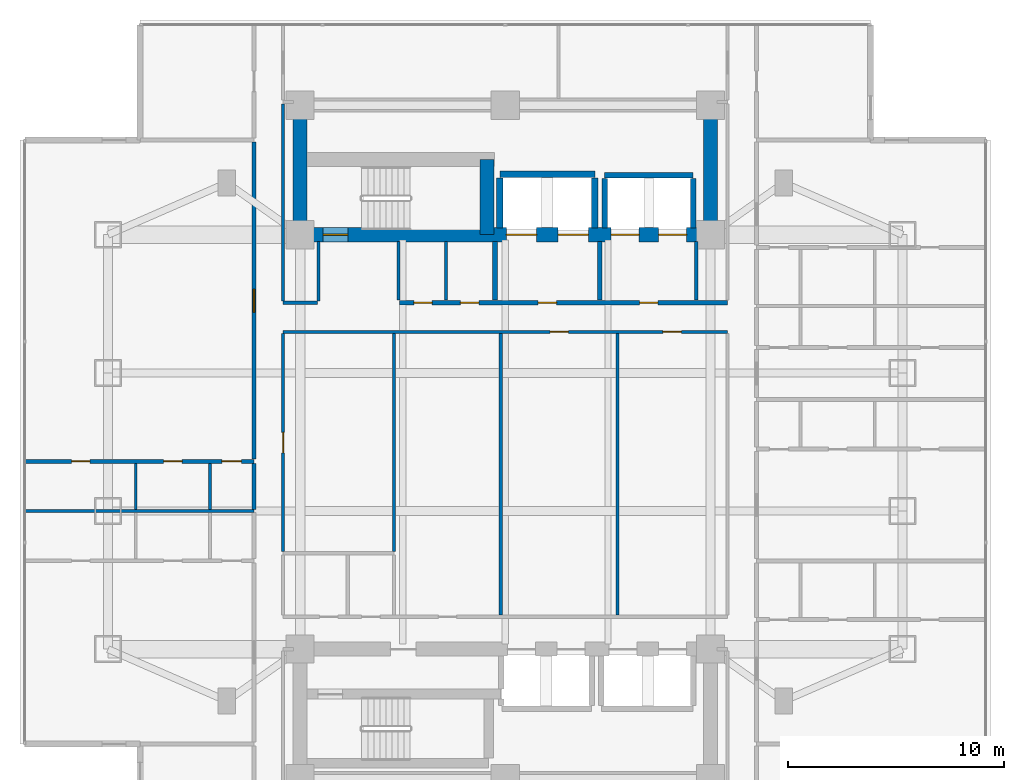
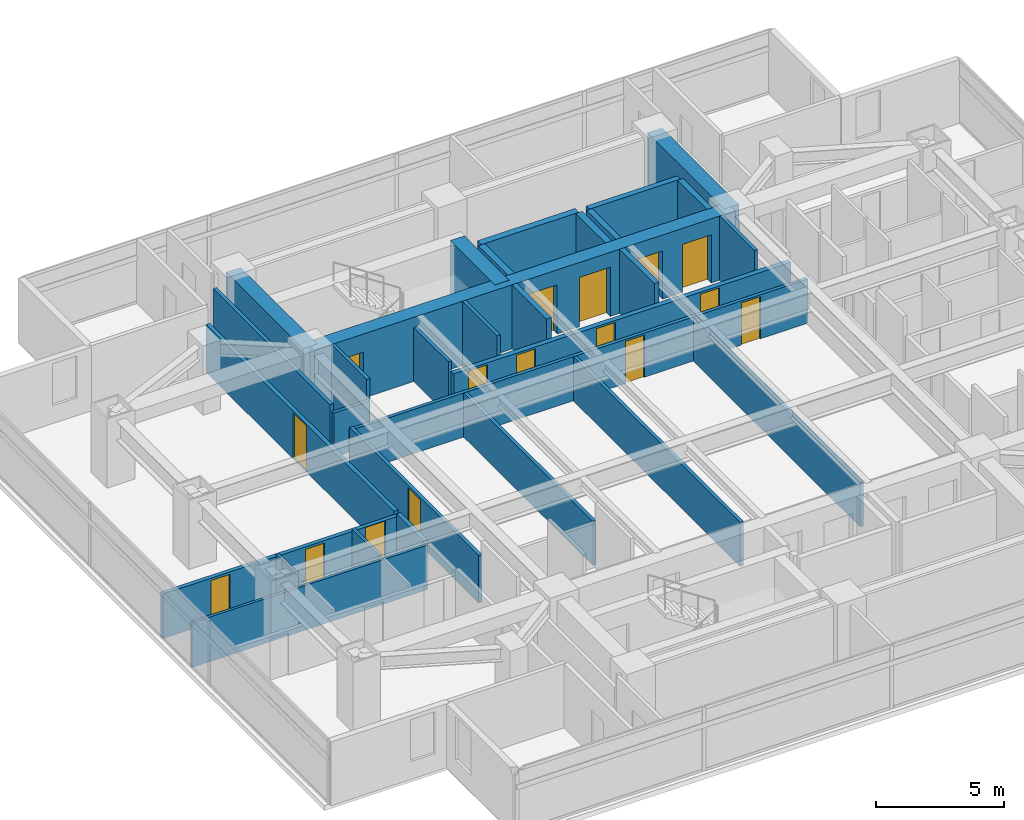
# One storey, part 14 of 24: 30 walls, 16 doors, 16 openings.
"""IFC4 building model written with IfcOpenShell, lengths in metres."""

from ifc_helpers import new_model, si_unit, direction, frame, frame_2d, origin, place, context, subcontext, project, spatial, rectangle, extrude, material, layer, layer_set, type_object, element, fill, save


model = new_model("IFC4")

# Units and contexts
model_context = context("Model", 3, precision=1e-05, world=origin(), true_north=direction((0.0, 1.0)))
body_context = subcontext(model_context, "Body", "Model", "MODEL_VIEW")
ifc_project = project(units=[si_unit("LENGTHUNIT", "METRE"), si_unit("AREAUNIT", "SQUARE_METRE"), si_unit("VOLUMEUNIT", "CUBIC_METRE"), si_unit("PLANEANGLEUNIT", "RADIAN"), si_unit("MASSUNIT", "GRAM", prefix="KILO")], contexts=[model_context])

# Site, building, storey
site_placement = place(None, origin())
site = spatial("IfcSite", under=ifc_project, at=site_placement, CompositionType="ELEMENT")
building_placement = place(site_placement, origin())
building = spatial("IfcBuilding", under=site, at=building_placement, Name="Mirazonda Arch Towers", CompositionType="ELEMENT")
storey_placement = place(building_placement, frame((0.0, 0.0, 71.89990234375)))
storey = spatial("IfcBuildingStorey", under=building, at=storey_placement, Name="L20", CompositionType="ELEMENT", Elevation=71.89990234375)

# Walls
ifc_material_1 = material(Name="Concrete C60/75", Category="concrete")
ifc_layer_1 = layer(ifc_material_1, 0.64990234375, Name="WALL-CORE-650")
ifc_layer_set_1 = layer_set([ifc_layer_1], Name="Concrete C60/75")
wall_type_1 = type_object("IfcWallType", Name="WALL-CORE-650", PredefinedType="SHEAR", material=ifc_layer_set_1)
for number, where, z_axis, x_axis, name in (
    (1, (11.0, 37.60009765625, 0.0), (0.0, 0.0, 1.0), (0.0, 1.0, 0.0), "L20 T1N-W Core Shear Wall"),
    (2, (30.0, 37.60009765625, 0.0), (0.0, 0.0, 1.0), (0.0, 1.0, 0.0), "L20 T1N-E Core Shear Wall"),
):
    element("IfcWall", number, at=place(storey_placement, frame(where, z_axis=z_axis, x_axis=x_axis)), inside=storey, type_object=wall_type_1, Name=name, PredefinedType="SHEAR", context=body_context, shape_type="SweptSolid", body=[
        extrude(rectangle(XDim=6.0, YDim=0.64990234375, at=frame_2d((3.0, 0.0))), origin(), (0.0, 0.0, 1.0), 3.06005859375),
    ])

# Wall, openings, doors
wall_1_placement = place(storey_placement, frame((11.0, 37.60009765625, 0.0), z_axis=(0.0, 0.0, 1.0), x_axis=(1.0, 0.0, 0.0)))
wall_1 = element("IfcWall", 3, at=wall_1_placement, inside=storey, type_object=wall_type_1, Name="L20 T1N-S Core Shear Wall", PredefinedType="SHEAR", context=body_context, shape_type="SweptSolid", body=[
    extrude(rectangle(XDim=19.0, YDim=0.64990234375, at=frame_2d((9.5, 0.0))), origin(), (0.0, 0.0, 1.0), 3.06005859375),
])
opening_1_placement = place(wall_1_placement, frame((1.06005859375, 0.0, 0.0)))
opening_1 = element("IfcOpeningElement", 4, at=opening_1_placement, cuts=wall_1, Name="Opening DR-135", PredefinedType="OPENING", context=body_context, shape_type="SweptSolid", body=[
    extrude(rectangle(XDim=1.14990234375, YDim=2.199951171875, at=frame_2d((0.574951171875, 1.10009765625))), frame((0.0, 0.3349609375, 0.0), z_axis=(0.0, -1.0, 0.0), x_axis=(1.0, 0.0, 0.0)), (0.0, 0.0, 1.0), 0.669921875),
])
opening_2_placement = place(wall_1_placement, frame((9.550048828125, 0.0, 0.0)))
opening_2 = element("IfcOpeningElement", 5, at=opening_2_placement, cuts=wall_1, Name="Opening LD-112", PredefinedType="OPENING", context=body_context, shape_type="SweptSolid", body=[
    extrude(rectangle(XDim=1.39990234375, YDim=2.35009765625, at=frame_2d((0.699951171875, 1.175048828125))), frame((0.0, 0.3349609375, 0.0), z_axis=(0.0, -1.0, 0.0), x_axis=(1.0, 0.0, 0.0)), (0.0, 0.0, 1.0), 0.669921875),
])
opening_3_placement = place(wall_1_placement, frame((11.949951171875, 0.0, 0.0)))
opening_3 = element("IfcOpeningElement", 6, at=opening_3_placement, cuts=wall_1, Name="Opening LD-112", PredefinedType="OPENING", context=body_context, shape_type="SweptSolid", body=[
    extrude(rectangle(XDim=1.39990234375, YDim=2.35009765625, at=frame_2d((0.699951171875, 1.175048828125))), frame((0.0, 0.3349609375, 0.0), z_axis=(0.0, -1.0, 0.0), x_axis=(1.0, 0.0, 0.0)), (0.0, 0.0, 1.0), 0.669921875),
])
opening_4_placement = place(wall_1_placement, frame((14.39990234375, 0.0, 0.0)))
opening_4 = element("IfcOpeningElement", 7, at=opening_4_placement, cuts=wall_1, Name="Opening LD-111", PredefinedType="OPENING", context=body_context, shape_type="SweptSolid", body=[
    extrude(rectangle(XDim=1.300048828125, YDim=2.300048828125, at=frame_2d((0.64990234375, 1.14990234375))), frame((0.0, 0.3349609375, 0.0), z_axis=(0.0, -1.0, 0.0), x_axis=(1.0, 0.0, 0.0)), (0.0, 0.0, 1.0), 0.669921875),
])
opening_5_placement = place(wall_1_placement, frame((16.60009765625, 0.0, 0.0)))
opening_5 = element("IfcOpeningElement", 8, at=opening_5_placement, cuts=wall_1, Name="Opening LD-111", PredefinedType="OPENING", context=body_context, shape_type="SweptSolid", body=[
    extrude(rectangle(XDim=1.300048828125, YDim=2.300048828125, at=frame_2d((0.64990234375, 1.14990234375))), frame((0.0, 0.3349609375, 0.0), z_axis=(0.0, -1.0, 0.0), x_axis=(1.0, 0.0, 0.0)), (0.0, 0.0, 1.0), 0.669921875),
])
ifc_material_2 = material(Name="Architectural Brushed Steel S355", Category="steel")
door_type_1 = type_object("IfcDoorType", Name="DOOR-LIFT-FFL-1400", OperationType="NOTDEFINED", PredefinedType="DOOR", material=ifc_material_2)
door_1_placement = place(opening_2_placement, origin())
door_1 = element("IfcDoor", 9, at=door_1_placement, inside=storey, type_object=door_type_1, Name="L20 Lift Landing Sliding Door FFL-T1", OperationType="DOUBLE_DOOR_SLIDING", OverallHeight=2.35009765625, OverallWidth=1.39990234375, PredefinedType="DOOR", context=body_context, shape_type="SweptSolid", body=[
    extrude(rectangle(XDim=1.39990234375, YDim=2.35009765625, at=frame_2d((0.699951171875, 1.175048828125))), frame((0.0, 0.02490234375, 0.0), z_axis=(0.0, -1.0, 0.0), x_axis=(1.0, 0.0, 0.0)), (0.0, 0.0, 1.0), 0.050048828125),
])
fill(opening_2, door_1)
door_2_placement = place(opening_3_placement, origin())
door_2 = element("IfcDoor", 10, at=door_2_placement, inside=storey, type_object=door_type_1, Name="L20 Lift Landing Sliding Door SVL-T1", OperationType="DOUBLE_DOOR_SLIDING", OverallHeight=2.35009765625, OverallWidth=1.39990234375, PredefinedType="DOOR", context=body_context, shape_type="SweptSolid", body=[
    extrude(rectangle(XDim=1.39990234375, YDim=2.35009765625, at=frame_2d((0.699951171875, 1.175048828125))), frame((0.0, 0.02490234375, 0.0), z_axis=(0.0, -1.0, 0.0), x_axis=(1.0, 0.0, 0.0)), (0.0, 0.0, 1.0), 0.050048828125),
])
fill(opening_3, door_2)
door_type_2 = type_object("IfcDoorType", Name="DOOR-LIFT-LAND-1300", OperationType="NOTDEFINED", PredefinedType="DOOR", material=ifc_material_2)
door_3_placement = place(opening_4_placement, origin())
door_3 = element("IfcDoor", 11, at=door_3_placement, inside=storey, type_object=door_type_2, Name="L20 Lift Landing Sliding Door PL-T1L1", OperationType="DOUBLE_DOOR_SLIDING", OverallHeight=2.300048828125, OverallWidth=1.300048828125, PredefinedType="DOOR", context=body_context, shape_type="SweptSolid", body=[
    extrude(rectangle(XDim=1.300048828125, YDim=2.300048828125, at=frame_2d((0.64990234375, 1.14990234375))), frame((0.0, 0.02490234375, 0.0), z_axis=(0.0, -1.0, 0.0), x_axis=(1.0, 0.0, 0.0)), (0.0, 0.0, 1.0), 0.050048828125),
])
fill(opening_4, door_3)
door_4_placement = place(opening_5_placement, origin())
door_4 = element("IfcDoor", 12, at=door_4_placement, inside=storey, type_object=door_type_2, Name="L20 Lift Landing Sliding Door PL-T1L2", OperationType="DOUBLE_DOOR_SLIDING", OverallHeight=2.300048828125, OverallWidth=1.300048828125, PredefinedType="DOOR", context=body_context, shape_type="SweptSolid", body=[
    extrude(rectangle(XDim=1.300048828125, YDim=2.300048828125, at=frame_2d((0.64990234375, 1.14990234375))), frame((0.0, 0.02490234375, 0.0), z_axis=(0.0, -1.0, 0.0), x_axis=(1.0, 0.0, 0.0)), (0.0, 0.0, 1.0), 0.050048828125),
])
fill(opening_5, door_4)
door_type_3 = type_object("IfcDoorType", Name="DOOR-STAIR-FD90-1150", OperationType="NOTDEFINED", PredefinedType="DOOR", material=ifc_material_2)
door_5_placement = place(opening_1_placement, origin())
door_5 = element("IfcDoor", 13, at=door_5_placement, inside=storey, type_object=door_type_3, Name="L20 Protected Exit Stair North Door", OperationType="SINGLE_SWING_LEFT", OverallHeight=2.199951171875, OverallWidth=1.14990234375, PredefinedType="DOOR", context=body_context, shape_type="SweptSolid", body=[
    extrude(rectangle(XDim=1.14990234375, YDim=2.199951171875, at=frame_2d((0.574951171875, 1.10009765625))), frame((0.0, 0.02490234375, 0.0), z_axis=(0.0, -1.0, 0.0), x_axis=(1.0, 0.0, 0.0)), (0.0, 0.0, 1.0), 0.050048828125),
])
fill(opening_1, door_5)

# Wall
wall_2_placement = place(storey_placement, frame((19.64990234375, 37.60009765625, 0.0), z_axis=(0.0, 0.0, 1.0), x_axis=(0.0, 1.0, 0.0)))
element("IfcWall", 14, at=wall_2_placement, inside=storey, type_object=wall_type_1, Name="L20 T1N-STE Core Shear Wall", PredefinedType="SHEAR", context=body_context, shape_type="SweptSolid", body=[
    extrude(rectangle(XDim=3.492919921875, YDim=0.64990234375, at=frame_2d((1.74658203125, 0.0))), origin(), (0.0, 0.0, 1.0), 3.06005859375),
])

# Wall, openings, doors
ifc_material_3 = material(Name="Concrete C40/50", Category="concrete")
ifc_layer_2 = layer(ifc_material_3, 0.219970703125, Name="WALL-FFL-220")
ifc_layer_set_2 = layer_set([ifc_layer_2], Name="Concrete C40/50")
wall_type_2 = type_object("IfcWallType", Name="WALL-FFL-220", PredefinedType="SOLIDWALL", material=ifc_layer_set_2)
wall_3_placement = place(storey_placement, frame((15.590087890625, 34.449951171875, 0.0), z_axis=(0.0, 0.0, 1.0), x_axis=(1.0, 0.0, 0.0)))
wall_3 = element("IfcWall", 15, at=wall_3_placement, inside=storey, type_object=wall_type_2, Name="L20 Interior Partition 041", PredefinedType="SOLIDWALL", context=body_context, shape_type="SweptSolid", body=[
    extrude(rectangle(XDim=15.2099609375, YDim=0.219970703125, at=frame_2d((7.60498046875, 0.0))), origin(), (0.0, 0.0, 1.0), 2.10400390625),
])
opening_6_placement = place(wall_3_placement, frame((6.43505859375, 0.0, 0.0)))
opening_6 = element("IfcOpeningElement", 16, at=opening_6_placement, cuts=wall_3, Name="Opening DR-128", PredefinedType="OPENING", context=body_context, shape_type="SweptSolid", body=[
    extrude(rectangle(XDim=0.85009765625, YDim=2.010009765625, at=frame_2d((0.425048828125, 1.0048828125))), frame((0.0, 0.119873046875, 0.0), z_axis=(0.0, -1.0, 0.0), x_axis=(1.0, 0.0, 0.0)), (0.0, 0.0, 1.0), 0.239990234375),
])
opening_7_placement = place(wall_3_placement, frame((11.135009765625, 0.0, 0.0)))
opening_7 = element("IfcOpeningElement", 17, at=opening_7_placement, cuts=wall_3, Name="Opening DR-128", PredefinedType="OPENING", context=body_context, shape_type="SweptSolid", body=[
    extrude(rectangle(XDim=0.85009765625, YDim=2.010009765625, at=frame_2d((0.425048828125, 1.0048828125))), frame((0.0, 0.119873046875, 0.0), z_axis=(0.0, -1.0, 0.0), x_axis=(1.0, 0.0, 0.0)), (0.0, 0.0, 1.0), 0.239990234375),
])
opening_8_placement = place(wall_3_placement, frame((0.675048828125, 0.0, 0.0)))
opening_8 = element("IfcOpeningElement", 18, at=opening_8_placement, cuts=wall_3, Name="Opening DR-128", PredefinedType="OPENING", context=body_context, shape_type="SweptSolid", body=[
    extrude(rectangle(XDim=0.85009765625, YDim=2.010009765625, at=frame_2d((0.425048828125, 1.0048828125))), frame((0.0, 0.119873046875, 0.0), z_axis=(0.0, -1.0, 0.0), x_axis=(1.0, 0.0, 0.0)), (0.0, 0.0, 1.0), 0.239990234375),
])
opening_9_placement = place(wall_3_placement, frame((2.8349609375, 0.0, 0.0)))
opening_9 = element("IfcOpeningElement", 19, at=opening_9_placement, cuts=wall_3, Name="Opening DR-128", PredefinedType="OPENING", context=body_context, shape_type="SweptSolid", body=[
    extrude(rectangle(XDim=0.85009765625, YDim=2.010009765625, at=frame_2d((0.425048828125, 1.0048828125))), frame((0.0, 0.119873046875, 0.0), z_axis=(0.0, -1.0, 0.0), x_axis=(1.0, 0.0, 0.0)), (0.0, 0.0, 1.0), 0.239990234375),
])
door_type_4 = type_object("IfcDoorType", Name="DOOR-RISER-FD60-850", OperationType="NOTDEFINED", PredefinedType="DOOR", material=ifc_material_2)
door_6_placement = place(opening_6_placement, origin())
door_6 = element("IfcDoor", 20, at=door_6_placement, inside=storey, type_object=door_type_4, Name="L20 Firefighting Lift Lobby Door", OperationType="SINGLE_SWING_RIGHT", OverallHeight=2.010009765625, OverallWidth=0.85009765625, PredefinedType="DOOR", context=body_context, shape_type="SweptSolid", body=[
    extrude(rectangle(XDim=0.85009765625, YDim=2.010009765625, at=frame_2d((0.425048828125, 1.0048828125))), frame((0.0, 0.02490234375, 0.0), z_axis=(0.0, -1.0, 0.0), x_axis=(1.0, 0.0, 0.0)), (0.0, 0.0, 1.0), 0.050048828125),
])
fill(opening_6, door_6)
door_7_placement = place(opening_7_placement, origin())
door_7 = element("IfcDoor", 21, at=door_7_placement, inside=storey, type_object=door_type_4, Name="L20 Passenger Lift Lobby North Door", OperationType="SINGLE_SWING_LEFT", OverallHeight=2.010009765625, OverallWidth=0.85009765625, PredefinedType="DOOR", context=body_context, shape_type="SweptSolid", body=[
    extrude(rectangle(XDim=0.85009765625, YDim=2.010009765625, at=frame_2d((0.425048828125, 1.0048828125))), frame((0.0, 0.02490234375, 0.0), z_axis=(0.0, -1.0, 0.0), x_axis=(1.0, 0.0, 0.0)), (0.0, 0.0, 1.0), 0.050048828125),
])
fill(opening_7, door_7)
door_8_placement = place(opening_8_placement, origin())
door_8 = element("IfcDoor", 22, at=door_8_placement, inside=storey, type_object=door_type_4, Name="L20 Electrical Room Door", OperationType="SINGLE_SWING_RIGHT", OverallHeight=2.010009765625, OverallWidth=0.85009765625, PredefinedType="DOOR", context=body_context, shape_type="SweptSolid", body=[
    extrude(rectangle(XDim=0.85009765625, YDim=2.010009765625, at=frame_2d((0.425048828125, 1.0048828125))), frame((0.0, 0.02490234375, 0.0), z_axis=(0.0, -1.0, 0.0), x_axis=(1.0, 0.0, 0.0)), (0.0, 0.0, 1.0), 0.050048828125),
])
fill(opening_8, door_8)
door_9_placement = place(opening_9_placement, origin())
door_9 = element("IfcDoor", 23, at=door_9_placement, inside=storey, type_object=door_type_4, Name="L20 Cleaners & Housekeeping Store Door", OperationType="SINGLE_SWING_LEFT", OverallHeight=2.010009765625, OverallWidth=0.85009765625, PredefinedType="DOOR", context=body_context, shape_type="SweptSolid", body=[
    extrude(rectangle(XDim=0.85009765625, YDim=2.010009765625, at=frame_2d((0.425048828125, 1.0048828125))), frame((0.0, 0.02490234375, 0.0), z_axis=(0.0, -1.0, 0.0), x_axis=(1.0, 0.0, 0.0)), (0.0, 0.0, 1.0), 0.050048828125),
])
fill(opening_9, door_9)

# Walls
for number, where, z_axis, x_axis, name in (
    (24, (20.02490234375, 34.570068359375, 0.0), (0.0, 0.0, 1.0), (0.0, 1.0, 0.0), "L20 Interior Partition 081"),
    (25, (24.875, 34.570068359375, 0.0), (0.0, 0.0, 1.0), (0.0, 1.0, 0.0), "L20 Interior Partition 091"),
):
    element("IfcWall", number, at=place(storey_placement, frame(where, z_axis=z_axis, x_axis=x_axis)), inside=storey, type_object=wall_type_2, Name=name, PredefinedType="SOLIDWALL", context=body_context, shape_type="SweptSolid", body=[
        extrude(rectangle(XDim=2.7099609375, YDim=0.219970703125, at=frame_2d((1.35498046875, 0.0))), origin(), (0.0, 0.0, 1.0), 3.06005859375),
    ])

# Wall, openings, doors
ifc_material_4 = material(Name="Fire-Rated Gypsum Stud Partition")
ifc_layer_3 = layer(ifc_material_4, 0.14990234375, Name="WALL-PART-CORR-150")
ifc_layer_set_3 = layer_set([ifc_layer_3], Name="Fire-Rated Gypsum Stud Partition")
wall_type_3 = type_object("IfcWallType", Name="WALL-PART-CORR-150", PredefinedType="PARTITIONING", material=ifc_layer_set_3)
wall_4_placement = place(storey_placement, frame((10.199951171875, 33.10009765625, 0.0), z_axis=(0.0, 0.0, 1.0), x_axis=(1.0, 0.0, 0.0)))
wall_4 = element("IfcWall", 26, at=wall_4_placement, inside=storey, type_object=wall_type_3, Name="L20 Interior Partition 038", PredefinedType="PARTITIONING", context=body_context, shape_type="SweptSolid", body=[
    extrude(rectangle(XDim=20.60009765625, YDim=0.14990234375, at=frame_2d((10.300048828125, 0.0))), origin(), (0.0, 0.0, 1.0), 2.10400390625),
])
opening_10_placement = place(wall_4_placement, frame((12.373046875, 0.0, 0.0)))
opening_10 = element("IfcOpeningElement", 27, at=opening_10_placement, cuts=wall_4, Name="Opening DR-128", PredefinedType="OPENING", context=body_context, shape_type="SweptSolid", body=[
    extrude(rectangle(XDim=0.85009765625, YDim=2.010009765625, at=frame_2d((0.425048828125, 1.0048828125))), frame((0.0, 0.0849609375, 0.0), z_axis=(0.0, -1.0, 0.0), x_axis=(1.0, 0.0, 0.0)), (0.0, 0.0, 1.0), 0.169921875),
])
opening_11_placement = place(wall_4_placement, frame((17.60595703125, 0.0, 0.0)))
opening_11 = element("IfcOpeningElement", 28, at=opening_11_placement, cuts=wall_4, Name="Opening DR-128", PredefinedType="OPENING", context=body_context, shape_type="SweptSolid", body=[
    extrude(rectangle(XDim=0.85009765625, YDim=2.010009765625, at=frame_2d((0.425048828125, 1.0048828125))), frame((0.0, 0.0849609375, 0.0), z_axis=(0.0, -1.0, 0.0), x_axis=(1.0, 0.0, 0.0)), (0.0, 0.0, 1.0), 0.169921875),
])
door_10_placement = place(opening_10_placement, origin())
door_10 = element("IfcDoor", 29, at=door_10_placement, inside=storey, type_object=door_type_4, Name="L20 Private Dining Room Door", OperationType="SINGLE_SWING_RIGHT", OverallHeight=2.010009765625, OverallWidth=0.85009765625, PredefinedType="DOOR", context=body_context, shape_type="SweptSolid", body=[
    extrude(rectangle(XDim=0.85009765625, YDim=2.010009765625, at=frame_2d((0.425048828125, 1.0048828125))), frame((0.0, 0.02490234375, 0.0), z_axis=(0.0, -1.0, 0.0), x_axis=(1.0, 0.0, 0.0)), (0.0, 0.0, 1.0), 0.050048828125),
])
fill(opening_10, door_10)
door_11_placement = place(opening_11_placement, origin())
door_11 = element("IfcDoor", 30, at=door_11_placement, inside=storey, type_object=door_type_4, Name="L20 Collectors Gallery Study Door", OperationType="SINGLE_SWING_LEFT", OverallHeight=2.010009765625, OverallWidth=0.85009765625, PredefinedType="DOOR", context=body_context, shape_type="SweptSolid", body=[
    extrude(rectangle(XDim=0.85009765625, YDim=2.010009765625, at=frame_2d((0.425048828125, 1.0048828125))), frame((0.0, 0.02490234375, 0.0), z_axis=(0.0, -1.0, 0.0), x_axis=(1.0, 0.0, 0.0)), (0.0, 0.0, 1.0), 0.050048828125),
])
fill(opening_11, door_11)

# Wall
wall_5_placement = place(storey_placement, frame((10.199951171875, 34.449951171875, 0.0), z_axis=(0.0, 0.0, 1.0), x_axis=(1.0, 0.0, 0.0)))
element("IfcWall", 31, at=wall_5_placement, inside=storey, type_object=wall_type_3, Name="L20 Interior Partition 040", PredefinedType="PARTITIONING", context=body_context, shape_type="SweptSolid", body=[
    extrude(rectangle(XDim=1.60009765625, YDim=0.14990234375, at=frame_2d((0.800048828125, 0.0))), origin(), (0.0, 0.0, 1.0), 2.10400390625),
])

# Wall, opening, door
wall_6_placement = place(storey_placement, frame((10.206787109375, 22.93505859375, 0.0), z_axis=(0.0, 0.0, 1.0), x_axis=(0.0, 1.0, 0.0)))
wall_6 = element("IfcWall", 32, at=wall_6_placement, inside=storey, type_object=wall_type_3, Name="L20 Interior Partition 071", PredefinedType="PARTITIONING", context=body_context, shape_type="SweptSolid", body=[
    extrude(rectangle(XDim=10.079833984375, YDim=0.14990234375, at=frame_2d((5.0400390625, 0.0))), origin(), (0.0, 0.0, 1.0), 2.279052734375),
])
opening_12_placement = place(wall_6_placement, frame((4.56494140625, 0.0, 0.0)))
opening_12 = element("IfcOpeningElement", 33, at=opening_12_placement, cuts=wall_6, Name="Opening DR-104", PredefinedType="OPENING", context=body_context, shape_type="SweptSolid", body=[
    extrude(rectangle(XDim=0.949951171875, YDim=2.14990234375, at=frame_2d((0.47509765625, 1.074951171875))), frame((0.0, 0.0849609375, 0.0), z_axis=(0.0, -1.0, 0.0), x_axis=(1.0, 0.0, 0.0)), (0.0, 0.0, 1.0), 0.169921875),
])
door_type_5 = type_object("IfcDoorType", Name="DOOR-ROOM-950", OperationType="NOTDEFINED", PredefinedType="DOOR", material=ifc_material_2)
door_12_placement = place(opening_12_placement, origin())
door_12 = element("IfcDoor", 34, at=door_12_placement, inside=storey, type_object=door_type_5, Name="L20 L20 West Courtyard Salon Door", OperationType="SINGLE_SWING_RIGHT", OverallHeight=2.14990234375, OverallWidth=0.949951171875, PredefinedType="DOOR", context=body_context, shape_type="SweptSolid", body=[
    extrude(rectangle(XDim=0.949951171875, YDim=2.14990234375, at=frame_2d((0.47509765625, 1.074951171875))), frame((0.0, 0.02490234375, 0.0), z_axis=(0.0, -1.0, 0.0), x_axis=(1.0, 0.0, 0.0)), (0.0, 0.0, 1.0), 0.050048828125),
])
fill(opening_12, door_12)

# Walls
wall_7_placement = place(storey_placement, frame((10.199951171875, 34.534912109375, 0.0), z_axis=(0.0, 0.0, 1.0), x_axis=(0.0, 1.0, 0.0)))
element("IfcWall", 35, at=wall_7_placement, inside=storey, type_object=wall_type_3, Name="L20 Interior Partition 072", PredefinedType="PARTITIONING", context=body_context, shape_type="SweptSolid", body=[
    extrude(rectangle(XDim=9.130126953125, YDim=0.14990234375, at=frame_2d((4.56494140625, 0.0))), origin(), (0.0, 0.0, 1.0), 2.43603515625),
])
wall_8_placement = place(storey_placement, frame((11.85009765625, 34.534912109375, 0.0), z_axis=(0.0, 0.0, 1.0), x_axis=(0.0, 1.0, 0.0)))
element("IfcWall", 36, at=wall_8_placement, inside=storey, type_object=wall_type_3, Name="L20 Interior Partition 074", PredefinedType="PARTITIONING", context=body_context, shape_type="SweptSolid", body=[
    extrude(rectangle(XDim=2.7451171875, YDim=0.14990234375, at=frame_2d((1.37255859375, 0.0))), origin(), (0.0, 0.0, 1.0), 3.06005859375),
])
wall_9_placement = place(storey_placement, frame((15.35009765625, 22.93505859375, 0.0), z_axis=(0.0, 0.0, 1.0), x_axis=(0.0, 1.0, 0.0)))
element("IfcWall", 37, at=wall_9_placement, inside=storey, type_object=wall_type_3, Name="L20 Interior Partition 077", PredefinedType="PARTITIONING", context=body_context, shape_type="SweptSolid", body=[
    extrude(rectangle(XDim=10.079833984375, YDim=0.14990234375, at=frame_2d((5.0400390625, 0.0))), origin(), (0.0, 0.0, 1.0), 2.10400390625),
])
wall_10_placement = place(storey_placement, frame((15.550048828125, 34.570068359375, 0.0), z_axis=(0.0, 0.0, 1.0), x_axis=(0.0, 1.0, 0.0)))
element("IfcWall", 38, at=wall_10_placement, inside=storey, type_object=wall_type_3, Name="L20 Interior Partition 078", PredefinedType="PARTITIONING", context=body_context, shape_type="SweptSolid", body=[
    extrude(rectangle(XDim=2.7099609375, YDim=0.14990234375, at=frame_2d((1.35498046875, 0.0))), origin(), (0.0, 0.0, 1.0), 2.589111328125),
])
wall_11_placement = place(storey_placement, frame((17.75, 34.570068359375, 0.0), z_axis=(0.0, 0.0, 1.0), x_axis=(0.0, 1.0, 0.0)))
element("IfcWall", 39, at=wall_11_placement, inside=storey, type_object=wall_type_3, Name="L20 Interior Partition 079", PredefinedType="PARTITIONING", context=body_context, shape_type="SweptSolid", body=[
    extrude(rectangle(XDim=2.7099609375, YDim=0.14990234375, at=frame_2d((1.35498046875, 0.0))), origin(), (0.0, 0.0, 1.0), 3.06005859375),
])
for number, where, z_axis, x_axis, name in (
    (40, (20.2939453125, 19.985107421875, 0.0), (0.0, 0.0, 1.0), (0.0, 1.0, 0.0), "L20 Interior Partition 084"),
    (41, (25.701904296875, 19.985107421875, 0.0), (0.0, 0.0, 1.0), (0.0, 1.0, 0.0), "L20 Interior Partition 093"),
):
    element("IfcWall", number, at=place(storey_placement, frame(where, z_axis=z_axis, x_axis=x_axis)), inside=storey, type_object=wall_type_3, Name=name, PredefinedType="PARTITIONING", context=body_context, shape_type="SweptSolid", body=[
        extrude(rectangle(XDim=13.02978515625, YDim=0.14990234375, at=frame_2d((6.514892578125, 0.0))), origin(), (0.0, 0.0, 1.0), 2.10400390625),
    ])
wall_12_placement = place(storey_placement, frame((29.35009765625, 34.570068359375, 0.0), z_axis=(0.0, 0.0, 1.0), x_axis=(0.0, 1.0, 0.0)))
element("IfcWall", 42, at=wall_12_placement, inside=storey, type_object=wall_type_3, Name="L20 Interior Partition 095", PredefinedType="PARTITIONING", context=body_context, shape_type="SweptSolid", body=[
    extrude(rectangle(XDim=2.7099609375, YDim=0.14990234375, at=frame_2d((1.35498046875, 0.0))), origin(), (0.0, 0.0, 1.0), 3.06005859375),
])

# Wall, openings, doors
ifc_material_5 = material(Name="Fire-Rated Gypsum Twin-Stud Assembly")
ifc_layer_4 = layer(ifc_material_5, 0.179931640625, Name="WALL-PART-DEMISE-180")
ifc_layer_set_4 = layer_set([ifc_layer_4], Name="Fire-Rated Gypsum Twin-Stud Assembly")
wall_type_4 = type_object("IfcWallType", Name="WALL-PART-DEMISE-180", PredefinedType="PARTITIONING", material=ifc_layer_set_4)
wall_13_placement = place(storey_placement, frame((-1.760009765625, 27.10009765625, 0.0), z_axis=(0.0, 0.0, 1.0), x_axis=(1.0, 0.0, 0.0)))
wall_13 = element("IfcWall", 43, at=wall_13_placement, inside=storey, type_object=wall_type_4, Name="L20 Interior Partition 030", PredefinedType="PARTITIONING", context=body_context, shape_type="SweptSolid", body=[
    extrude(rectangle(XDim=10.6201171875, YDim=0.179931640625, at=frame_2d((5.31005859375, 0.0))), origin(), (0.0, 0.0, 1.0), 2.125),
])
opening_13_placement = place(wall_13_placement, frame((2.1689453125, 0.0, 0.0)))
opening_13 = element("IfcOpeningElement", 44, at=opening_13_placement, cuts=wall_13, Name="Opening DR-128", PredefinedType="OPENING", context=body_context, shape_type="SweptSolid", body=[
    extrude(rectangle(XDim=0.85009765625, YDim=2.010009765625, at=frame_2d((0.425048828125, 1.0048828125))), frame((0.0, 0.099853515625, 0.0), z_axis=(0.0, -1.0, 0.0), x_axis=(1.0, 0.0, 0.0)), (0.0, 0.0, 1.0), 0.199951171875),
])
opening_14_placement = place(wall_13_placement, frame((6.43896484375, 0.0, 0.0)))
opening_14 = element("IfcOpeningElement", 45, at=opening_14_placement, cuts=wall_13, Name="Opening DR-128", PredefinedType="OPENING", context=body_context, shape_type="SweptSolid", body=[
    extrude(rectangle(XDim=0.85009765625, YDim=2.010009765625, at=frame_2d((0.425048828125, 1.0048828125))), frame((0.0, 0.099853515625, 0.0), z_axis=(0.0, -1.0, 0.0), x_axis=(1.0, 0.0, 0.0)), (0.0, 0.0, 1.0), 0.199951171875),
])
opening_15_placement = place(wall_13_placement, frame((9.1298828125, 0.0, 0.0)))
opening_15 = element("IfcOpeningElement", 46, at=opening_15_placement, cuts=wall_13, Name="Opening DR-120", PredefinedType="OPENING", context=body_context, shape_type="SweptSolid", body=[
    extrude(rectangle(XDim=0.89990234375, YDim=2.10009765625, at=frame_2d((0.449951171875, 1.050048828125))), frame((0.0, 0.099853515625, 0.0), z_axis=(0.0, -1.0, 0.0), x_axis=(1.0, 0.0, 0.0)), (0.0, 0.0, 1.0), 0.199951171875),
])
door_13_placement = place(opening_13_placement, origin())
door_13 = element("IfcDoor", 47, at=door_13_placement, inside=storey, type_object=door_type_4, Name="L20 Residence 2 Principal Bedroom Door", OperationType="SINGLE_SWING_RIGHT", OverallHeight=2.010009765625, OverallWidth=0.85009765625, PredefinedType="DOOR", context=body_context, shape_type="SweptSolid", body=[
    extrude(rectangle(XDim=0.85009765625, YDim=2.010009765625, at=frame_2d((0.425048828125, 1.0048828125))), frame((0.0, 0.02490234375, 0.0), z_axis=(0.0, -1.0, 0.0), x_axis=(1.0, 0.0, 0.0)), (0.0, 0.0, 1.0), 0.050048828125),
])
fill(opening_13, door_13)
door_14_placement = place(opening_14_placement, origin())
door_14 = element("IfcDoor", 48, at=door_14_placement, inside=storey, type_object=door_type_4, Name="L20 Residence 2 Fitted Kitchen Door", OperationType="SINGLE_SWING_LEFT", OverallHeight=2.010009765625, OverallWidth=0.85009765625, PredefinedType="DOOR", context=body_context, shape_type="SweptSolid", body=[
    extrude(rectangle(XDim=0.85009765625, YDim=2.010009765625, at=frame_2d((0.425048828125, 1.0048828125))), frame((0.0, 0.02490234375, 0.0), z_axis=(0.0, -1.0, 0.0), x_axis=(1.0, 0.0, 0.0)), (0.0, 0.0, 1.0), 0.050048828125),
])
fill(opening_14, door_14)
door_type_6 = type_object("IfcDoorType", Name="DOOR-WC-900", OperationType="NOTDEFINED", PredefinedType="DOOR", material=ifc_material_2)
door_15_placement = place(opening_15_placement, origin())
door_15 = element("IfcDoor", 49, at=door_15_placement, inside=storey, type_object=door_type_6, Name="L20 Residence 2 Bathroom Door", OperationType="SINGLE_SWING_RIGHT", OverallHeight=2.10009765625, OverallWidth=0.89990234375, PredefinedType="DOOR", context=body_context, shape_type="SweptSolid", body=[
    extrude(rectangle(XDim=0.89990234375, YDim=2.10009765625, at=frame_2d((0.449951171875, 1.050048828125))), frame((0.0, 0.02490234375, 0.0), z_axis=(0.0, -1.0, 0.0), x_axis=(1.0, 0.0, 0.0)), (0.0, 0.0, 1.0), 0.050048828125),
])
fill(opening_15, door_15)

# Wall
wall_14_placement = place(storey_placement, frame((8.860107421875, 24.87255859375, 0.0), z_axis=(0.0, 0.0, 1.0), x_axis=(0.0, 1.0, 0.0)))
element("IfcWall", 50, at=wall_14_placement, inside=storey, type_object=wall_type_4, Name="L20 Interior Partition 065", PredefinedType="PARTITIONING", context=body_context, shape_type="SweptSolid", body=[
    extrude(rectangle(XDim=2.12744140625, YDim=0.179931640625, at=frame_2d((1.063720703125, 0.0))), origin(), (0.0, 0.0, 1.0), 2.279052734375),
])

# Wall, opening, door
wall_15_placement = place(storey_placement, frame((8.860107421875, 27.199951171875, 0.0), z_axis=(0.0, 0.0, 1.0), x_axis=(0.0, 1.0, 0.0)))
wall_15 = element("IfcWall", 51, at=wall_15_placement, inside=storey, type_object=wall_type_4, Name="L20 Interior Partition 066", PredefinedType="PARTITIONING", context=body_context, shape_type="SweptSolid", body=[
    extrude(rectangle(XDim=14.68798828125, YDim=0.179931640625, at=frame_2d((7.343994140625, 0.0))), origin(), (0.0, 0.0, 1.0), 2.279052734375),
])
opening_16_placement = place(wall_15_placement, frame((6.819091796875, 0.0, 0.0)))
opening_16 = element("IfcOpeningElement", 52, at=opening_16_placement, cuts=wall_15, Name="Opening DR-121", PredefinedType="OPENING", context=body_context, shape_type="SweptSolid", body=[
    extrude(rectangle(XDim=1.050048828125, YDim=2.199951171875, at=frame_2d((0.52490234375, 1.10009765625))), frame((0.0, 0.099853515625, 0.0), z_axis=(0.0, -1.0, 0.0), x_axis=(1.0, 0.0, 0.0)), (0.0, 0.0, 1.0), 0.199951171875),
])
door_type_7 = type_object("IfcDoorType", Name="DOOR-SUITE-FD60-1050", OperationType="NOTDEFINED", PredefinedType="DOOR", material=ifc_material_2)
door_16_placement = place(opening_16_placement, origin())
door_16 = element("IfcDoor", 53, at=door_16_placement, inside=storey, type_object=door_type_7, Name="L20 Penthouse Residence 2 Living & Dining Salon Door", OperationType="SINGLE_SWING_LEFT", OverallHeight=2.199951171875, OverallWidth=1.050048828125, PredefinedType="DOOR", context=body_context, shape_type="SweptSolid", body=[
    extrude(rectangle(XDim=1.050048828125, YDim=2.199951171875, at=frame_2d((0.52490234375, 1.10009765625))), frame((0.0, 0.02490234375, 0.0), z_axis=(0.0, -1.0, 0.0), x_axis=(1.0, 0.0, 0.0)), (0.0, 0.0, 1.0), 0.050048828125),
])
fill(opening_16, door_16)

# Walls
ifc_material_6 = material(Name="Acoustic Fire-Rated Gypsum Partition")
ifc_layer_5 = layer(ifc_material_6, 0.125, Name="WALL-PART-UNIT-125")
ifc_layer_set_5 = layer_set([ifc_layer_5], Name="Acoustic Fire-Rated Gypsum Partition")
wall_type_5 = type_object("IfcWallType", Name="WALL-PART-UNIT-125", PredefinedType="PARTITIONING", material=ifc_layer_set_5)
wall_16_placement = place(storey_placement, frame((-1.760009765625, 24.800048828125, 0.0), z_axis=(0.0, 0.0, 1.0), x_axis=(1.0, 0.0, 0.0)))
element("IfcWall", 54, at=wall_16_placement, inside=storey, type_object=wall_type_5, Name="L20 Interior Partition 026", PredefinedType="PARTITIONING", context=body_context, shape_type="SweptSolid", body=[
    extrude(rectangle(XDim=10.6201171875, YDim=0.125, at=frame_2d((5.31005859375, 0.0))), origin(), (0.0, 0.0, 1.0), 2.125),
])
for number, where, z_axis, x_axis, name in (
    (55, (3.387939453125, 24.87255859375, 0.0), (0.0, 0.0, 1.0), (0.0, 1.0, 0.0), "L20 Interior Partition 059"),
    (56, (6.820068359375, 24.87255859375, 0.0), (0.0, 0.0, 1.0), (0.0, 1.0, 0.0), "L20 Interior Partition 061"),
):
    element("IfcWall", number, at=place(storey_placement, frame(where, z_axis=z_axis, x_axis=x_axis)), inside=storey, type_object=wall_type_5, Name=name, PredefinedType="PARTITIONING", context=body_context, shape_type="SweptSolid", body=[
        extrude(rectangle(XDim=2.12744140625, YDim=0.125, at=frame_2d((1.063720703125, 0.0))), origin(), (0.0, 0.0, 1.0), 2.279052734375),
    ])
ifc_layer_6 = layer(ifc_material_3, 0.25, Name="WALL-SHAFT-250")
ifc_layer_set_6 = layer_set([ifc_layer_6], Name="Concrete C40/50")
wall_type_6 = type_object("IfcWallType", Name="WALL-SHAFT-250", PredefinedType="SOLIDWALL", material=ifc_layer_set_6)
wall_17_placement = place(storey_placement, frame((25.10009765625, 40.35009765625, 0.0), z_axis=(0.0, 0.0, 1.0), x_axis=(1.0, 0.0, 0.0)))
element("IfcWall", 57, at=wall_17_placement, inside=storey, type_object=wall_type_6, Name="L20 Interior Partition 052", PredefinedType="SOLIDWALL", context=body_context, shape_type="SweptSolid", body=[
    extrude(rectangle(XDim=4.099853515625, YDim=0.25, at=frame_2d((2.0498046875, 0.0))), origin(), (0.0, 0.0, 1.0), 3.06005859375),
])
for number, where, z_axis, x_axis, name in (
    (58, (25.10009765625, 37.919921875, 0.0), (0.0, 0.0, 1.0), (0.0, 1.0, 0.0), "L20 Interior Partition 092"),
    (59, (29.199951171875, 37.919921875, 0.0), (0.0, 0.0, 1.0), (0.0, 1.0, 0.0), "L20 Interior Partition 096"),
):
    element("IfcWall", number, at=place(storey_placement, frame(where, z_axis=z_axis, x_axis=x_axis)), inside=storey, type_object=wall_type_6, Name=name, PredefinedType="SOLIDWALL", context=body_context, shape_type="SweptSolid", body=[
        extrude(rectangle(XDim=2.295166015625, YDim=0.25, at=frame_2d((1.1474609375, 0.0))), origin(), (0.0, 0.0, 1.0), 3.06005859375),
    ])
ifc_material_7 = material(Name="Concrete C50/60", Category="concrete")
ifc_layer_7 = layer(ifc_material_7, 0.300048828125, Name="WALL-SHAFT-300")
ifc_layer_set_7 = layer_set([ifc_layer_7], Name="Concrete C50/60")
wall_type_7 = type_object("IfcWallType", Name="WALL-SHAFT-300", PredefinedType="SOLIDWALL", material=ifc_layer_set_7)
wall_18_placement = place(storey_placement, frame((20.25, 40.39990234375, 0.0), z_axis=(0.0, 0.0, 1.0), x_axis=(1.0, 0.0, 0.0)))
element("IfcWall", 60, at=wall_18_placement, inside=storey, type_object=wall_type_7, Name="L20 Interior Partition 053", PredefinedType="SOLIDWALL", context=body_context, shape_type="SweptSolid", body=[
    extrude(rectangle(XDim=4.39990234375, YDim=0.300048828125, at=frame_2d((2.199951171875, 0.0))), origin(), (0.0, 0.0, 1.0), 3.06005859375),
])
for number, where, z_axis, x_axis, name in (
    (61, (20.25, 37.919921875, 0.0), (0.0, 0.0, 1.0), (0.0, 1.0, 0.0), "L20 Interior Partition 085"),
    (62, (24.64990234375, 37.919921875, 0.0), (0.0, 0.0, 1.0), (0.0, 1.0, 0.0), "L20 Interior Partition 089"),
):
    element("IfcWall", number, at=place(storey_placement, frame(where, z_axis=z_axis, x_axis=x_axis)), inside=storey, type_object=wall_type_7, Name=name, PredefinedType="SOLIDWALL", context=body_context, shape_type="SweptSolid", body=[
        extrude(rectangle(XDim=2.320068359375, YDim=0.300048828125, at=frame_2d((1.16015625, 0.0))), origin(), (0.0, 0.0, 1.0), 3.06005859375),
    ])

save(model, "model.ifc")
